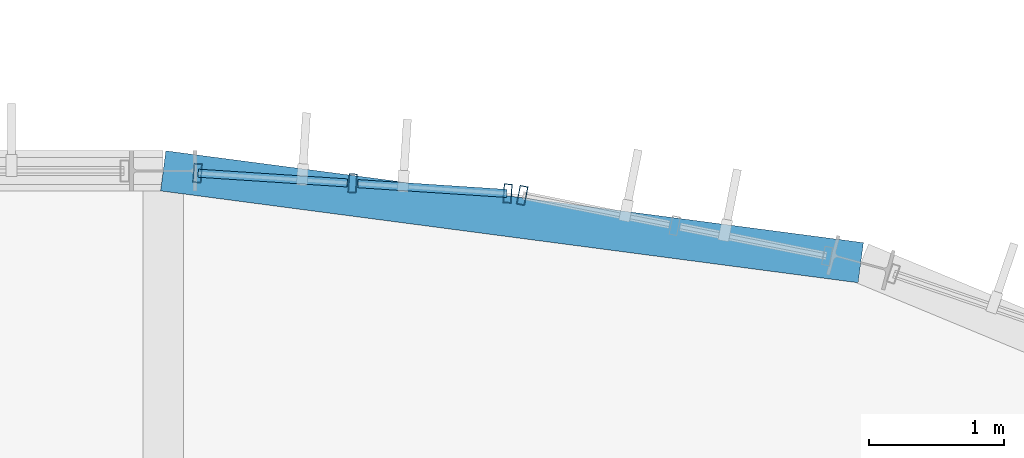
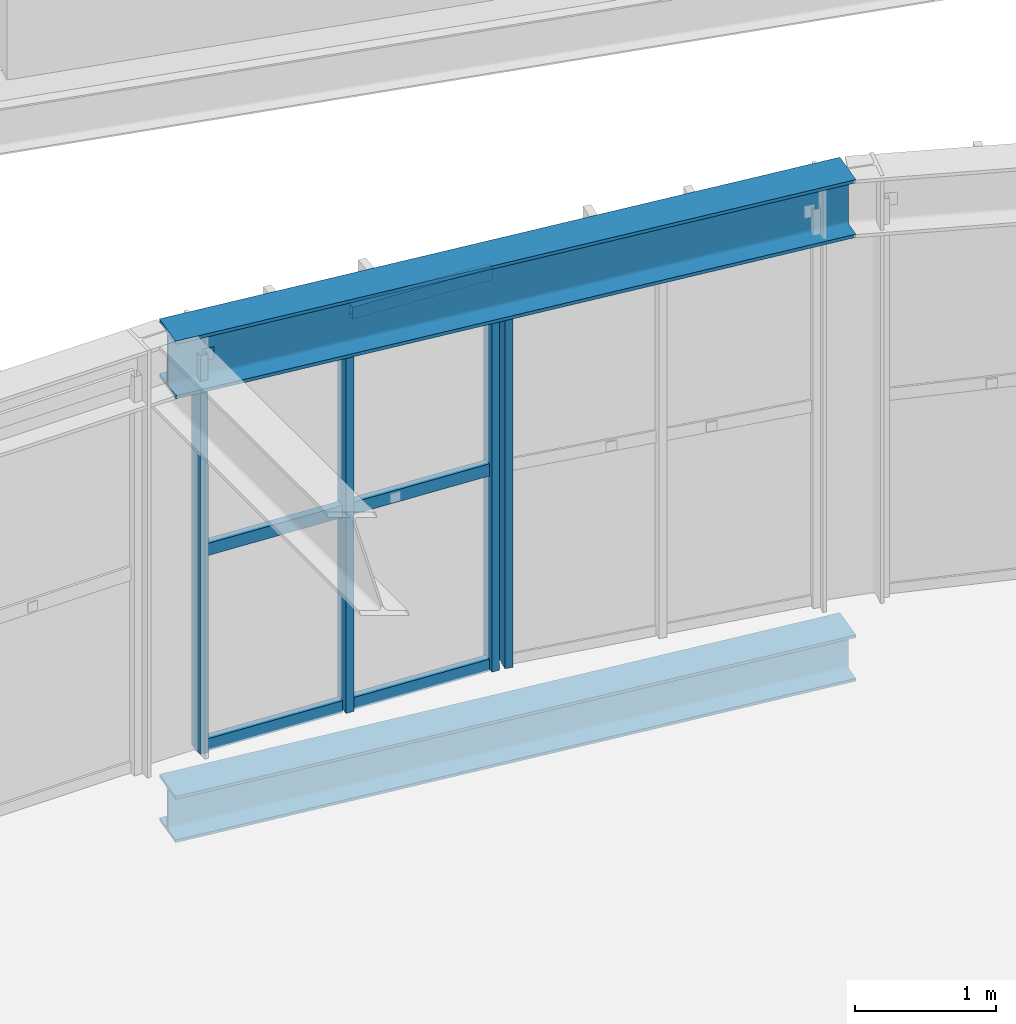
# One storey, part 66 of 152: 10 members, 2 beams, 2 elements without a shape of their own.
"""IFC4 building model written with IfcOpenShell, lengths in metres."""

from ifc_helpers import new_model, si_unit, derived_unit, direction, frame, origin, origin_2d, place, context, subcontext, project, spatial, hollow_rectangle, i_section, extrude, material, material_profile, profile_set, type_object, element, aggregate, save


model = new_model("IFC4")

# Units and contexts
model_context = context("Model", 3, precision=1e-05, world=origin(), true_north=direction((0.0, 1.0)))
body_context = subcontext(model_context, "Body", "Model", "MODEL_VIEW")
ifc_project = project(units=[si_unit("LENGTHUNIT", "METRE"), si_unit("AREAUNIT", "SQUARE_METRE"), si_unit("VOLUMEUNIT", "CUBIC_METRE"), si_unit("PLANEANGLEUNIT", "RADIAN"), si_unit("MASSUNIT", "GRAM", prefix="KILO"), si_unit("THERMODYNAMICTEMPERATUREUNIT", "KELVIN"), si_unit("TIMEUNIT", "SECOND"), derived_unit("THERMALTRANSMITTANCEUNIT", [(si_unit("MASSUNIT", "GRAM", prefix="KILO"), 1), (si_unit("THERMODYNAMICTEMPERATUREUNIT", "KELVIN"), -1), (si_unit("TIMEUNIT", "SECOND"), -3)])], contexts=[model_context])

# Site, building, storey
site_placement = place(None, origin())
site = spatial("IfcSite", under=ifc_project, at=site_placement, CompositionType="ELEMENT")
building_placement = place(site_placement, origin())
building = spatial("IfcBuilding", under=site, at=building_placement, Name="Cambertide Market Hall", CompositionType="ELEMENT")
storey_placement = place(building_placement, frame((0.0, 0.0, 5.39990234375)))
storey = spatial("IfcBuildingStorey", under=building, at=storey_placement, Name="L02", CompositionType="ELEMENT", Elevation=5.39990234375)

# Curtain wall, member
ifc_material_1 = material(Name="Marine Anodized Aluminium 6063-T6 AA25", Category="aluminium")
curtain_wall_type = type_object("IfcCurtainWallType", Name="Lantern Apse Chord Upper Curtain Wall", PredefinedType="USERDEFINED", material=ifc_material_1)
curtain_wall_1_placement = place(storey_placement, origin())
curtain_wall_1 = element("IfcCurtainWall", 1, at=curtain_wall_1_placement, inside=storey, type_object=curtain_wall_type, Name="Level 2 Curtain Wall CW-V1AE-L02-23", ObjectType="UNITIZED CURTAIN WALL", PredefinedType="USERDEFINED")
ifc_material_2 = material(Name="Champagne Marine Anodized Aluminium 6063-T6 AA25", Category="aluminium")
ifc_material_profile_1 = material_profile(ifc_material_2, hollow_rectangle(XDim=0.06005859375, YDim=0.139892578125, WallThickness=0.00341796875, at=origin_2d()), Name="ALU MULLION 60x140")
ifc_profile_set_1 = profile_set([ifc_material_profile_1], Name="Champagne Marine Anodized Aluminium 6063-T6 AA25")
member_type_1 = type_object("IfcMemberType", Name="Curtain Wall Mullion ALU MULLION 60x140", PredefinedType="MULLION", material=ifc_profile_set_1)
member_1_placement = place(storey_placement, frame((107.66455078125, 91.818115234375, 0.0), z_axis=(0.0, 0.0, 1.0), x_axis=(0.980785330885, -0.195090068226, 0.0)))
member_1 = element("IfcMember", 2, at=member_1_placement, type_object=member_type_1, Name="CW-V1AE-L02-23 Mullion 1", PredefinedType="MULLION", context=body_context, shape_type="SweptSolid", body=[
    extrude(hollow_rectangle(XDim=0.06005859375, YDim=0.139892578125, WallThickness=0.00341796875, at=origin_2d()), origin(), (0.0, 0.0, 1.0), 3.4501953125),
])
aggregate(curtain_wall_1, [member_1])

# Curtain wall, members
curtain_wall_2_placement = place(storey_placement, origin())
curtain_wall_2 = element("IfcCurtainWall", 3, at=curtain_wall_2_placement, inside=storey, type_object=curtain_wall_type, Name="Level 2 Curtain Wall CW-V1AE-L02-24", ObjectType="UNITIZED CURTAIN WALL", PredefinedType="USERDEFINED")
member_2_placement = place(storey_placement, frame((105.25439453125, 91.9833984375, 0.0), z_axis=(0.0, 0.0, 1.0), x_axis=(0.997858917819, -0.065403211921, 0.0)))
member_2 = element("IfcMember", 4, at=member_2_placement, type_object=member_type_1, Name="CW-V1AE-L02-24 Mullion 1", PredefinedType="MULLION", context=body_context, shape_type="SweptSolid", body=[
    extrude(hollow_rectangle(XDim=0.06005859375, YDim=0.139892578125, WallThickness=0.00341796875, at=origin_2d()), origin(), (0.0, 0.0, 1.0), 3.4501953125),
])
member_3_placement = place(storey_placement, frame((106.405029296875, 91.907958984375, 0.0), z_axis=(0.0, 0.0, 1.0), x_axis=(0.997858917819, -0.065403211921, 0.0)))
member_3 = element("IfcMember", 5, at=member_3_placement, type_object=member_type_1, Name="CW-V1AE-L02-24 Mullion 2", PredefinedType="MULLION", context=body_context, shape_type="SweptSolid", body=[
    extrude(hollow_rectangle(XDim=0.06005859375, YDim=0.139892578125, WallThickness=0.00341796875, at=origin_2d()), origin(), (0.0, 0.0, 1.0), 3.4501953125),
])
member_4_placement = place(storey_placement, frame((107.5556640625, 91.83251953125, 0.0), z_axis=(0.0, 0.0, 1.0), x_axis=(0.997858917819, -0.065403211921, 0.0)))
member_4 = element("IfcMember", 6, at=member_4_placement, type_object=member_type_1, Name="CW-V1AE-L02-24 Mullion 3", PredefinedType="MULLION", context=body_context, shape_type="SweptSolid", body=[
    extrude(hollow_rectangle(XDim=0.06005859375, YDim=0.139892578125, WallThickness=0.00341796875, at=origin_2d()), origin(), (0.0, 0.0, 1.0), 3.4501953125),
])
ifc_material_3 = material(Name="Champagne Marine Anodized Aluminium 6063-T6 AA25", Category="aluminium")
ifc_material_profile_2 = material_profile(ifc_material_3, hollow_rectangle(XDim=0.06005859375, YDim=0.10498046875, WallThickness=0.0029296875, at=origin_2d()), Name="ALU TRANSOM 60x105")
ifc_profile_set_2 = profile_set([ifc_material_profile_2], Name="Champagne Marine Anodized Aluminium 6063-T6 AA25")
member_type_2 = type_object("IfcMemberType", Name="Curtain Wall Transom ALU TRANSOM 60x105", PredefinedType="USERDEFINED", material=ifc_profile_set_2)
member_5_placement = place(storey_placement, frame((105.259521484375, 91.98291015625, 0.03515625), z_axis=(0.997871075842, -0.065217451634, 0.0), x_axis=(0.065217451634, 0.997871075842, 0.0)))
member_5 = element("IfcMember", 7, at=member_5_placement, type_object=member_type_2, Name="CW-V1AE-L02-24 Transom 1-1", ObjectType="TRANSOM", PredefinedType="USERDEFINED", context=body_context, shape_type="SweptSolid", body=[
    extrude(hollow_rectangle(XDim=0.06005859375, YDim=0.10498046875, WallThickness=0.0029296875, at=origin_2d()), origin(), (0.0, 0.0, 1.0), 1.108154296875),
])
member_6_placement = place(storey_placement, frame((106.445068359375, 91.9052734375, 0.03515625), z_axis=(0.997855769469, -0.065451228695, 0.0), x_axis=(0.065451228695, 0.997855769469, 0.0)))
member_6 = element("IfcMember", 8, at=member_6_placement, type_object=member_type_2, Name="CW-V1AE-L02-24 Transom 1-2", ObjectType="TRANSOM", PredefinedType="USERDEFINED", context=body_context, shape_type="SweptSolid", body=[
    extrude(hollow_rectangle(XDim=0.06005859375, YDim=0.10498046875, WallThickness=0.0029296875, at=origin_2d()), origin(), (0.0, 0.0, 1.0), 1.10791015625),
])
member_7_placement = place(storey_placement, frame((105.259521484375, 91.98291015625, 1.72509765625), z_axis=(0.997871075842, -0.065217451634, 0.0), x_axis=(0.065217451634, 0.997871075842, 0.0)))
member_7 = element("IfcMember", 9, at=member_7_placement, type_object=member_type_2, Name="CW-V1AE-L02-24 Transom 2-1", ObjectType="TRANSOM", PredefinedType="USERDEFINED", context=body_context, shape_type="SweptSolid", body=[
    extrude(hollow_rectangle(XDim=0.06005859375, YDim=0.10498046875, WallThickness=0.0029296875, at=origin_2d()), origin(), (0.0, 0.0, 1.0), 1.108154296875),
])
member_8_placement = place(storey_placement, frame((106.445068359375, 91.9052734375, 1.72509765625), z_axis=(0.997855769469, -0.065451228695, 0.0), x_axis=(0.065451228695, 0.997855769469, 0.0)))
member_8 = element("IfcMember", 10, at=member_8_placement, type_object=member_type_2, Name="CW-V1AE-L02-24 Transom 2-2", ObjectType="TRANSOM", PredefinedType="USERDEFINED", context=body_context, shape_type="SweptSolid", body=[
    extrude(hollow_rectangle(XDim=0.06005859375, YDim=0.10498046875, WallThickness=0.0029296875, at=origin_2d()), origin(), (0.0, 0.0, 1.0), 1.10791015625),
])
member_9_placement = place(storey_placement, frame((105.259521484375, 91.98291015625, 3.4150390625), z_axis=(0.997871075842, -0.065217451634, 0.0), x_axis=(0.065217451634, 0.997871075842, 0.0)))
member_9 = element("IfcMember", 11, at=member_9_placement, type_object=member_type_2, Name="CW-V1AE-L02-24 Transom 3-1", ObjectType="TRANSOM", PredefinedType="USERDEFINED", context=body_context, shape_type="SweptSolid", body=[
    extrude(hollow_rectangle(XDim=0.06005859375, YDim=0.10498046875, WallThickness=0.0029296875, at=origin_2d()), origin(), (0.0, 0.0, 1.0), 1.108154296875),
])
member_10_placement = place(storey_placement, frame((106.445068359375, 91.9052734375, 3.4150390625), z_axis=(0.997855769469, -0.065451228695, 0.0), x_axis=(0.065451228695, 0.997855769469, 0.0)))
member_10 = element("IfcMember", 12, at=member_10_placement, type_object=member_type_2, Name="CW-V1AE-L02-24 Transom 3-2", ObjectType="TRANSOM", PredefinedType="USERDEFINED", context=body_context, shape_type="SweptSolid", body=[
    extrude(hollow_rectangle(XDim=0.06005859375, YDim=0.10498046875, WallThickness=0.0029296875, at=origin_2d()), origin(), (0.0, 0.0, 1.0), 1.10791015625),
])
aggregate(curtain_wall_2, [member_2, member_3, member_4, member_5, member_6, member_7, member_8, member_9, member_10])

# Beams
ifc_material_4 = material(Name="Steel S355", Category="steel")
ifc_material_profile_3 = material_profile(ifc_material_4, i_section(OverallWidth=0.300048828125, OverallDepth=0.5, WebThickness=0.014404296875, FlangeThickness=0.028076171875, FilletRadius=0.027099609375, at=origin_2d()), Name="HEB 500")
ifc_profile_set_3 = profile_set([ifc_material_profile_3], Name="Steel S355")
beam_type_1 = type_object("IfcBeamType", Name="Exterior Steel Girder HEB 500", PredefinedType="BEAM", material=ifc_profile_set_3)
beam_1_placement = place(storey_placement, frame((110.17626953125, 91.318603515625, 3.4501953125), z_axis=(-0.991446654043, 0.130512574825, 0.0), x_axis=(-0.130512574825, -0.991446654043, 0.0)))
element("IfcBeam", 13, at=beam_1_placement, inside=storey, type_object=beam_type_1, Name="Level 2 Beam EAVE-V1AE-12", PredefinedType="BEAM", context=body_context, shape_type="SweptSolid", body=[
    extrude(i_section(OverallWidth=0.300048828125, OverallDepth=0.5, WebThickness=0.014404296875, FlangeThickness=0.028076171875, FilletRadius=0.027099609375, at=origin_2d()), origin(), (0.0, 0.0, 1.0), 5.220947265625),
])
ifc_material_5 = material(Name="Steel S355", Category="steel")
ifc_material_profile_4 = material_profile(ifc_material_5, i_section(OverallWidth=0.300048828125, OverallDepth=0.39990234375, WebThickness=0.013427734375, FlangeThickness=0.02392578125, FilletRadius=0.027099609375, at=origin_2d()), Name="HEB 400")
ifc_profile_set_4 = profile_set([ifc_material_profile_4], Name="Steel S355")
beam_type_2 = type_object("IfcBeamType", Name="Steel Girder HEB 400", PredefinedType="BEAM", material=ifc_profile_set_4)
beam_2_placement = place(storey_placement, frame((110.17626953125, 91.318603515625, -0.43994140625), z_axis=(-0.991446654043, 0.130512574825, 0.0), x_axis=(-0.130512574825, -0.991446654043, 0.0)))
element("IfcBeam", 14, at=beam_2_placement, inside=storey, type_object=beam_type_2, Name="Level 2 Beam BM-V1AE-L02-12", PredefinedType="BEAM", context=body_context, shape_type="SweptSolid", body=[
    extrude(i_section(OverallWidth=0.300048828125, OverallDepth=0.39990234375, WebThickness=0.013427734375, FlangeThickness=0.02392578125, FilletRadius=0.027099609375, at=origin_2d()), origin(), (0.0, 0.0, 1.0), 5.220947265625),
])

save(model, "model.ifc")
